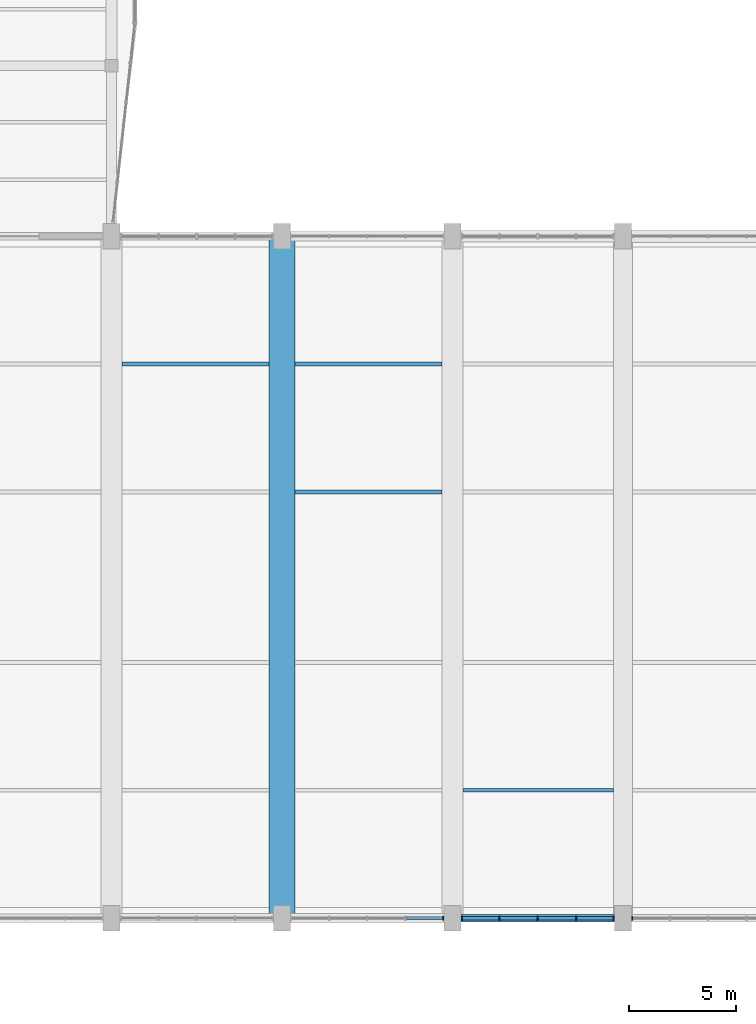
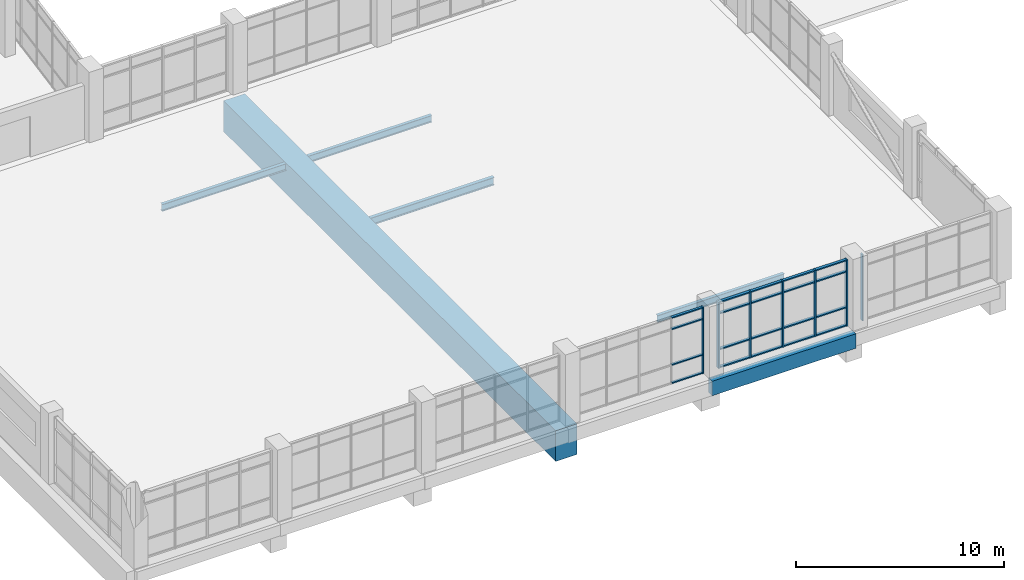
# One storey, part 7 of 84: 27 members, 6 beams, 3 elements without a shape of their own.
"""IFC4 building model written with IfcOpenShell, lengths in metres."""

from ifc_helpers import new_model, si_unit, direction, frame, origin, origin_2d, place, context, subcontext, project, spatial, rectangle, i_section, extrude, material, material_profile, profile_set, type_object, element, aggregate, save


model = new_model("IFC4")

# Units and contexts
model_context = context("Model", 3, precision=1e-05, world=origin(), true_north=direction((0.0, 1.0)))
body_context = subcontext(model_context, "Body", "Model", "MODEL_VIEW")
ifc_project = project(units=[si_unit("LENGTHUNIT", "METRE"), si_unit("AREAUNIT", "SQUARE_METRE"), si_unit("VOLUMEUNIT", "CUBIC_METRE"), si_unit("PLANEANGLEUNIT", "RADIAN"), si_unit("MASSUNIT", "GRAM", prefix="KILO")], contexts=[model_context])

# Site, building, storey
site_placement = place(None, origin())
site = spatial("IfcSite", under=ifc_project, at=site_placement, CompositionType="ELEMENT")
building_placement = place(site_placement, origin())
building = spatial("IfcBuilding", under=site, at=building_placement, Name="Tenunan Teduh Sports Hall", CompositionType="ELEMENT")
storey_placement = place(building_placement, frame((0.0, 0.0, 10.800048828125)))
storey = spatial("IfcBuildingStorey", under=building, at=storey_placement, Name="L02", CompositionType="ELEMENT", Elevation=10.800048828125)

# Beam
ifc_material_1 = material(Name="Concrete C40/50", Category="concrete")
ifc_material_profile_1 = material_profile(ifc_material_1, rectangle(XDim=0.35009765625, YDim=0.85009765625, at=origin_2d()), Name="SPB 350x850")
ifc_profile_set_1 = profile_set([ifc_material_profile_1], Name="Concrete C40/50")
beam_type_1 = type_object("IfcBeamType", Name="BM-SP-350x850", PredefinedType="SPANDREL", material=ifc_profile_set_1)
beam_1_placement = place(storey_placement, frame((38.0, 14.0, -0.97509765625), z_axis=(1.0, 0.0, 0.0), x_axis=(0.0, 1.0, 0.0)))
element("IfcBeam", 1, at=beam_1_placement, inside=storey, type_object=beam_type_1, Name="BM-SP-02-L02-1456", PredefinedType="SPANDREL", context=body_context, shape_type="SweptSolid", body=[
    extrude(rectangle(XDim=0.35009765625, YDim=0.85009765625, at=origin_2d()), origin(), (0.0, 0.0, 1.0), 8.0),
])

# Curtain wall, member
ifc_material_2 = material(Name="Anodised aluminium", Category="aluminium")
curtain_wall_type = type_object("IfcCurtainWallType", Name="CW-UNIT-2", PredefinedType="NOTDEFINED", material=ifc_material_2)
curtain_wall_1_placement = place(storey_placement, origin())
curtain_wall_1 = element("IfcCurtainWall", 2, at=curtain_wall_1_placement, inside=storey, type_object=curtain_wall_type, Name="CW-CWM-175-L02-062", PredefinedType="NOTDEFINED")
ifc_material_3 = material(Name="Anodised aluminium", Category="aluminium")
ifc_material_profile_2 = material_profile(ifc_material_3, rectangle(XDim=0.06494140625, YDim=0.175048828125, at=origin_2d()), Name="CWM 65x175")
ifc_profile_set_2 = profile_set([ifc_material_profile_2], Name="Anodised aluminium")
member_type_1 = type_object("IfcMemberType", Name="CWM-175", PredefinedType="MULLION", material=ifc_profile_set_2)
member_1_placement = place(storey_placement, frame((37.5673828125, 14.0, 0.0), z_axis=(0.0, 0.0, 1.0), x_axis=(1.0, 0.0, 0.0)))
member_1 = element("IfcMember", 3, at=member_1_placement, type_object=member_type_1, Name="CW-02 mullion 5", PredefinedType="MULLION", context=body_context, shape_type="SweptSolid", body=[
    extrude(rectangle(XDim=0.06494140625, YDim=0.175048828125, at=origin_2d()), origin(), (0.0, 0.0, 1.0), 3.89990234375),
])

curtain_wall_2_placement = place(storey_placement, origin())
curtain_wall_2 = element("IfcCurtainWall", 4, at=curtain_wall_2_placement, inside=storey, type_object=curtain_wall_type, Name="CW-CWM-175-L02-066", PredefinedType="NOTDEFINED")
member_2_placement = place(storey_placement, frame((46.4326171875, 14.0, 0.0), z_axis=(0.0, 0.0, 1.0), x_axis=(1.0, 0.0, 0.0)))
member_2 = element("IfcMember", 5, at=member_2_placement, type_object=member_type_1, Name="CW-02 mullion 1", PredefinedType="MULLION", context=body_context, shape_type="SweptSolid", body=[
    extrude(rectangle(XDim=0.06494140625, YDim=0.175048828125, at=origin_2d()), origin(), (0.0, 0.0, 1.0), 3.89990234375),
])
aggregate(curtain_wall_2, [member_2])

# Curtain wall, members
curtain_wall_3_placement = place(storey_placement, origin())
curtain_wall_3 = element("IfcCurtainWall", 6, at=curtain_wall_3_placement, inside=storey, type_object=curtain_wall_type, Name="CW-CWM-200-L02-064", PredefinedType="NOTDEFINED")
ifc_material_4 = material(Name="Anodised aluminium", Category="aluminium")
ifc_material_profile_3 = material_profile(ifc_material_4, rectangle(XDim=0.070068359375, YDim=0.199951171875, at=origin_2d()), Name="CWM 70x200")
ifc_profile_set_3 = profile_set([ifc_material_profile_3], Name="Anodised aluminium")
member_type_2 = type_object("IfcMemberType", Name="CWM-200", PredefinedType="MULLION", material=ifc_profile_set_3)
member_3_placement = place(storey_placement, frame((38.43505859375, 14.0, 0.0), z_axis=(0.0, 0.0, 1.0), x_axis=(1.0, 0.0, 0.0)))
member_3 = element("IfcMember", 7, at=member_3_placement, type_object=member_type_2, Name="CW-02 mullion 1", PredefinedType="MULLION", context=body_context, shape_type="SweptSolid", body=[
    extrude(rectangle(XDim=0.070068359375, YDim=0.199951171875, at=origin_2d()), origin(), (0.0, 0.0, 1.0), 3.89990234375),
])
member_4_placement = place(storey_placement, frame((40.199951171875, 14.0, 0.0), z_axis=(0.0, 0.0, 1.0), x_axis=(1.0, 0.0, 0.0)))
member_4 = element("IfcMember", 8, at=member_4_placement, type_object=member_type_2, Name="CW-02 mullion 2", PredefinedType="MULLION", context=body_context, shape_type="SweptSolid", body=[
    extrude(rectangle(XDim=0.070068359375, YDim=0.199951171875, at=origin_2d()), origin(), (0.0, 0.0, 1.0), 3.89990234375),
])
member_5_placement = place(storey_placement, frame((42.0, 14.0, 0.0), z_axis=(0.0, 0.0, 1.0), x_axis=(1.0, 0.0, 0.0)))
member_5 = element("IfcMember", 9, at=member_5_placement, type_object=member_type_2, Name="CW-02 mullion 3", PredefinedType="MULLION", context=body_context, shape_type="SweptSolid", body=[
    extrude(rectangle(XDim=0.070068359375, YDim=0.199951171875, at=origin_2d()), origin(), (0.0, 0.0, 1.0), 3.89990234375),
])
member_6_placement = place(storey_placement, frame((43.800048828125, 14.0, 0.0), z_axis=(0.0, 0.0, 1.0), x_axis=(1.0, 0.0, 0.0)))
member_6 = element("IfcMember", 10, at=member_6_placement, type_object=member_type_2, Name="CW-02 mullion 4", PredefinedType="MULLION", context=body_context, shape_type="SweptSolid", body=[
    extrude(rectangle(XDim=0.070068359375, YDim=0.199951171875, at=origin_2d()), origin(), (0.0, 0.0, 1.0), 3.89990234375),
])
member_7_placement = place(storey_placement, frame((45.56494140625, 14.0, 0.0), z_axis=(0.0, 0.0, 1.0), x_axis=(1.0, 0.0, 0.0)))
member_7 = element("IfcMember", 11, at=member_7_placement, type_object=member_type_2, Name="CW-02 mullion 5", PredefinedType="MULLION", context=body_context, shape_type="SweptSolid", body=[
    extrude(rectangle(XDim=0.070068359375, YDim=0.199951171875, at=origin_2d()), origin(), (0.0, 0.0, 1.0), 3.89990234375),
])

# Member
ifc_material_5 = material(Name="Anodised aluminium", Category="aluminium")
ifc_material_profile_4 = material_profile(ifc_material_5, rectangle(XDim=0.06494140625, YDim=0.139892578125, at=origin_2d()), Name="CWT 65x140")
ifc_profile_set_4 = profile_set([ifc_material_profile_4], Name="Anodised aluminium")
member_type_3 = type_object("IfcMemberType", Name="CWT-150", PredefinedType="USERDEFINED", material=ifc_profile_set_4)
member_8_placement = place(storey_placement, frame((35.83251953125, 14.0, 0.032470703125), z_axis=(1.0, 0.0, 0.0), x_axis=(0.0, 0.0, 1.0)))
member_8 = element("IfcMember", 12, at=member_8_placement, type_object=member_type_3, Name="CW-02 transom 4.1", ObjectType="TRANSOM", PredefinedType="USERDEFINED", context=body_context, shape_type="SweptSolid", body=[
    extrude(rectangle(XDim=0.06494140625, YDim=0.139892578125, at=origin_2d()), origin(), (0.0, 0.0, 1.0), 1.702392578125),
])

member_9_placement = place(storey_placement, frame((35.83251953125, 14.0, 1.099853515625), z_axis=(1.0, 0.0, 0.0), x_axis=(0.0, 0.0, 1.0)))
member_9 = element("IfcMember", 13, at=member_9_placement, type_object=member_type_3, Name="CW-02 transom 4.2", ObjectType="TRANSOM", PredefinedType="USERDEFINED", context=body_context, shape_type="SweptSolid", body=[
    extrude(rectangle(XDim=0.06494140625, YDim=0.139892578125, at=origin_2d()), origin(), (0.0, 0.0, 1.0), 1.702392578125),
])

member_10_placement = place(storey_placement, frame((35.83251953125, 14.0, 3.199951171875), z_axis=(1.0, 0.0, 0.0), x_axis=(0.0, 0.0, 1.0)))
member_10 = element("IfcMember", 14, at=member_10_placement, type_object=member_type_3, Name="CW-02 transom 4.3", ObjectType="TRANSOM", PredefinedType="USERDEFINED", context=body_context, shape_type="SweptSolid", body=[
    extrude(rectangle(XDim=0.06494140625, YDim=0.139892578125, at=origin_2d()), origin(), (0.0, 0.0, 1.0), 1.702392578125),
])

member_11_placement = place(storey_placement, frame((35.83251953125, 14.0, 3.867431640625), z_axis=(1.0, 0.0, 0.0), x_axis=(0.0, 0.0, 1.0)))
member_11 = element("IfcMember", 15, at=member_11_placement, type_object=member_type_3, Name="CW-02 transom 4.4", ObjectType="TRANSOM", PredefinedType="USERDEFINED", context=body_context, shape_type="SweptSolid", body=[
    extrude(rectangle(XDim=0.06494140625, YDim=0.139892578125, at=origin_2d()), origin(), (0.0, 0.0, 1.0), 1.702392578125),
])

aggregate(curtain_wall_1, [member_1, member_8, member_9, member_10, member_11])

ifc_material_6 = material(Name="Anodised aluminium", Category="aluminium")
ifc_material_profile_5 = material_profile(ifc_material_6, rectangle(XDim=0.070068359375, YDim=0.159912109375, at=origin_2d()), Name="CWT 70x160")
ifc_profile_set_5 = profile_set([ifc_material_profile_5], Name="Anodised aluminium")
member_type_4 = type_object("IfcMemberType", Name="CWT-200", PredefinedType="USERDEFINED", material=ifc_profile_set_5)
member_12_placement = place(storey_placement, frame((38.469970703125, 14.0, 0.034912109375), z_axis=(1.0, 0.0, 0.0), x_axis=(0.0, 0.0, 1.0)))
member_12 = element("IfcMember", 16, at=member_12_placement, type_object=member_type_4, Name="CW-02 transom 1.1", ObjectType="TRANSOM", PredefinedType="USERDEFINED", context=body_context, shape_type="SweptSolid", body=[
    extrude(rectangle(XDim=0.070068359375, YDim=0.159912109375, at=origin_2d()), origin(), (0.0, 0.0, 1.0), 1.695068359375),
])

member_13_placement = place(storey_placement, frame((38.469970703125, 14.0, 1.099853515625), z_axis=(1.0, 0.0, 0.0), x_axis=(0.0, 0.0, 1.0)))
member_13 = element("IfcMember", 17, at=member_13_placement, type_object=member_type_4, Name="CW-02 transom 1.2", ObjectType="TRANSOM", PredefinedType="USERDEFINED", context=body_context, shape_type="SweptSolid", body=[
    extrude(rectangle(XDim=0.070068359375, YDim=0.159912109375, at=origin_2d()), origin(), (0.0, 0.0, 1.0), 1.695068359375),
])

member_14_placement = place(storey_placement, frame((38.469970703125, 14.0, 3.199951171875), z_axis=(1.0, 0.0, 0.0), x_axis=(0.0, 0.0, 1.0)))
member_14 = element("IfcMember", 18, at=member_14_placement, type_object=member_type_4, Name="CW-02 transom 1.3", ObjectType="TRANSOM", PredefinedType="USERDEFINED", context=body_context, shape_type="SweptSolid", body=[
    extrude(rectangle(XDim=0.070068359375, YDim=0.159912109375, at=origin_2d()), origin(), (0.0, 0.0, 1.0), 1.695068359375),
])

member_15_placement = place(storey_placement, frame((38.469970703125, 14.0, 3.864990234375), z_axis=(1.0, 0.0, 0.0), x_axis=(0.0, 0.0, 1.0)))
member_15 = element("IfcMember", 19, at=member_15_placement, type_object=member_type_4, Name="CW-02 transom 1.4", ObjectType="TRANSOM", PredefinedType="USERDEFINED", context=body_context, shape_type="SweptSolid", body=[
    extrude(rectangle(XDim=0.070068359375, YDim=0.159912109375, at=origin_2d()), origin(), (0.0, 0.0, 1.0), 1.695068359375),
])

member_16_placement = place(storey_placement, frame((40.235107421875, 14.0, 0.034912109375), z_axis=(1.0, 0.0, 0.0), x_axis=(0.0, 0.0, 1.0)))
member_16 = element("IfcMember", 20, at=member_16_placement, type_object=member_type_4, Name="CW-02 transom 2.1", ObjectType="TRANSOM", PredefinedType="USERDEFINED", context=body_context, shape_type="SweptSolid", body=[
    extrude(rectangle(XDim=0.070068359375, YDim=0.159912109375, at=origin_2d()), origin(), (0.0, 0.0, 1.0), 1.72998046875),
])

member_17_placement = place(storey_placement, frame((40.235107421875, 14.0, 1.099853515625), z_axis=(1.0, 0.0, 0.0), x_axis=(0.0, 0.0, 1.0)))
member_17 = element("IfcMember", 21, at=member_17_placement, type_object=member_type_4, Name="CW-02 transom 2.2", ObjectType="TRANSOM", PredefinedType="USERDEFINED", context=body_context, shape_type="SweptSolid", body=[
    extrude(rectangle(XDim=0.070068359375, YDim=0.159912109375, at=origin_2d()), origin(), (0.0, 0.0, 1.0), 1.72998046875),
])

member_18_placement = place(storey_placement, frame((40.235107421875, 14.0, 3.199951171875), z_axis=(1.0, 0.0, 0.0), x_axis=(0.0, 0.0, 1.0)))
member_18 = element("IfcMember", 22, at=member_18_placement, type_object=member_type_4, Name="CW-02 transom 2.3", ObjectType="TRANSOM", PredefinedType="USERDEFINED", context=body_context, shape_type="SweptSolid", body=[
    extrude(rectangle(XDim=0.070068359375, YDim=0.159912109375, at=origin_2d()), origin(), (0.0, 0.0, 1.0), 1.72998046875),
])

member_19_placement = place(storey_placement, frame((40.235107421875, 14.0, 3.864990234375), z_axis=(1.0, 0.0, 0.0), x_axis=(0.0, 0.0, 1.0)))
member_19 = element("IfcMember", 23, at=member_19_placement, type_object=member_type_4, Name="CW-02 transom 2.4", ObjectType="TRANSOM", PredefinedType="USERDEFINED", context=body_context, shape_type="SweptSolid", body=[
    extrude(rectangle(XDim=0.070068359375, YDim=0.159912109375, at=origin_2d()), origin(), (0.0, 0.0, 1.0), 1.72998046875),
])

member_20_placement = place(storey_placement, frame((42.034912109375, 14.0, 0.034912109375), z_axis=(1.0, 0.0, 0.0), x_axis=(0.0, 0.0, 1.0)))
member_20 = element("IfcMember", 24, at=member_20_placement, type_object=member_type_4, Name="CW-02 transom 3.1", ObjectType="TRANSOM", PredefinedType="USERDEFINED", context=body_context, shape_type="SweptSolid", body=[
    extrude(rectangle(XDim=0.070068359375, YDim=0.159912109375, at=origin_2d()), origin(), (0.0, 0.0, 1.0), 1.72998046875),
])

member_21_placement = place(storey_placement, frame((42.034912109375, 14.0, 1.099853515625), z_axis=(1.0, 0.0, 0.0), x_axis=(0.0, 0.0, 1.0)))
member_21 = element("IfcMember", 25, at=member_21_placement, type_object=member_type_4, Name="CW-02 transom 3.2", ObjectType="TRANSOM", PredefinedType="USERDEFINED", context=body_context, shape_type="SweptSolid", body=[
    extrude(rectangle(XDim=0.070068359375, YDim=0.159912109375, at=origin_2d()), origin(), (0.0, 0.0, 1.0), 1.72998046875),
])

member_22_placement = place(storey_placement, frame((42.034912109375, 14.0, 3.199951171875), z_axis=(1.0, 0.0, 0.0), x_axis=(0.0, 0.0, 1.0)))
member_22 = element("IfcMember", 26, at=member_22_placement, type_object=member_type_4, Name="CW-02 transom 3.3", ObjectType="TRANSOM", PredefinedType="USERDEFINED", context=body_context, shape_type="SweptSolid", body=[
    extrude(rectangle(XDim=0.070068359375, YDim=0.159912109375, at=origin_2d()), origin(), (0.0, 0.0, 1.0), 1.72998046875),
])

member_23_placement = place(storey_placement, frame((42.034912109375, 14.0, 3.864990234375), z_axis=(1.0, 0.0, 0.0), x_axis=(0.0, 0.0, 1.0)))
member_23 = element("IfcMember", 27, at=member_23_placement, type_object=member_type_4, Name="CW-02 transom 3.4", ObjectType="TRANSOM", PredefinedType="USERDEFINED", context=body_context, shape_type="SweptSolid", body=[
    extrude(rectangle(XDim=0.070068359375, YDim=0.159912109375, at=origin_2d()), origin(), (0.0, 0.0, 1.0), 1.72998046875),
])

member_24_placement = place(storey_placement, frame((43.8349609375, 14.0, 0.034912109375), z_axis=(1.0, 0.0, 0.0), x_axis=(0.0, 0.0, 1.0)))
member_24 = element("IfcMember", 28, at=member_24_placement, type_object=member_type_4, Name="CW-02 transom 4.1", ObjectType="TRANSOM", PredefinedType="USERDEFINED", context=body_context, shape_type="SweptSolid", body=[
    extrude(rectangle(XDim=0.070068359375, YDim=0.159912109375, at=origin_2d()), origin(), (0.0, 0.0, 1.0), 1.695068359375),
])

member_25_placement = place(storey_placement, frame((43.8349609375, 14.0, 1.099853515625), z_axis=(1.0, 0.0, 0.0), x_axis=(0.0, 0.0, 1.0)))
member_25 = element("IfcMember", 29, at=member_25_placement, type_object=member_type_4, Name="CW-02 transom 4.2", ObjectType="TRANSOM", PredefinedType="USERDEFINED", context=body_context, shape_type="SweptSolid", body=[
    extrude(rectangle(XDim=0.070068359375, YDim=0.159912109375, at=origin_2d()), origin(), (0.0, 0.0, 1.0), 1.695068359375),
])

member_26_placement = place(storey_placement, frame((43.8349609375, 14.0, 3.199951171875), z_axis=(1.0, 0.0, 0.0), x_axis=(0.0, 0.0, 1.0)))
member_26 = element("IfcMember", 30, at=member_26_placement, type_object=member_type_4, Name="CW-02 transom 4.3", ObjectType="TRANSOM", PredefinedType="USERDEFINED", context=body_context, shape_type="SweptSolid", body=[
    extrude(rectangle(XDim=0.070068359375, YDim=0.159912109375, at=origin_2d()), origin(), (0.0, 0.0, 1.0), 1.695068359375),
])

member_27_placement = place(storey_placement, frame((43.8349609375, 14.0, 3.864990234375), z_axis=(1.0, 0.0, 0.0), x_axis=(0.0, 0.0, 1.0)))
member_27 = element("IfcMember", 31, at=member_27_placement, type_object=member_type_4, Name="CW-02 transom 4.4", ObjectType="TRANSOM", PredefinedType="USERDEFINED", context=body_context, shape_type="SweptSolid", body=[
    extrude(rectangle(XDim=0.070068359375, YDim=0.159912109375, at=origin_2d()), origin(), (0.0, 0.0, 1.0), 1.695068359375),
])

aggregate(curtain_wall_3, [member_3, member_4, member_5, member_6, member_7, member_12, member_13, member_14, member_15, member_16, member_17, member_18, member_19, member_20, member_21, member_22, member_23, member_24, member_25, member_26, member_27])

# Beams
ifc_material_7 = material(Name="Post-tensioned concrete C50/60", Category="concrete")
ifc_material_profile_6 = material_profile(ifc_material_7, rectangle(XDim=1.199951171875, YDim=1.800048828125, at=origin_2d()), Name="PTG 1200x1800")
ifc_profile_set_6 = profile_set([ifc_material_profile_6], Name="Post-tensioned concrete C50/60")
beam_type_2 = type_object("IfcBeamType", Name="PTG-1200x1800", PredefinedType="USERDEFINED", material=ifc_profile_set_6)
beam_2_placement = place(storey_placement, frame((30.0, 14.0, -1.449951171875), z_axis=(0.0, 1.0, 0.0), x_axis=(-1.0, 0.0, 0.0)))
element("IfcBeam", 32, at=beam_2_placement, inside=storey, type_object=beam_type_2, Name="Post-Tensioned Transfer Girder BM-PTG-06-L02-0016", ObjectType="TRANSFER GIRDER", PredefinedType="USERDEFINED", context=body_context, shape_type="SweptSolid", body=[
    extrude(rectangle(XDim=1.199951171875, YDim=1.800048828125, at=origin_2d()), origin(), (0.0, 0.0, 1.0), 32.0),
])
ifc_material_8 = material(Name="Steel S355", Category="steel")
ifc_material_profile_7 = material_profile(ifc_material_8, i_section(OverallWidth=0.177978515625, OverallDepth=0.406494140625, WebThickness=0.0078125, FlangeThickness=0.0126953125, FilletRadius=0.01025390625, at=origin_2d()), Name="UKB 406x178x60")
ifc_profile_set_7 = profile_set([ifc_material_profile_7], Name="Steel S355")
beam_type_3 = type_object("IfcBeamType", Name="SBM-UKB406", PredefinedType="BEAM", material=ifc_profile_set_7)
for number, where, z_axis, x_axis, name in (
    (33, (22.5, 40.0, -0.753173828125), (1.0, 0.0, 0.0), (0.0, 1.0, 0.0), "BM-SB-03-L02-0015"),
    (34, (30.60009765625, 40.0, -0.753173828125), (1.0, 0.0, 0.0), (0.0, 1.0, 0.0), "BM-SB-03-L02-0020"),
):
    element("IfcBeam", number, at=place(storey_placement, frame(where, z_axis=z_axis, x_axis=x_axis)), inside=storey, type_object=beam_type_3, Name=name, PredefinedType="BEAM", context=body_context, shape_type="SweptSolid", body=[
        extrude(i_section(OverallWidth=0.177978515625, OverallDepth=0.406494140625, WebThickness=0.0078125, FlangeThickness=0.0126953125, FilletRadius=0.01025390625, at=origin_2d()), origin(), (0.0, 0.0, 1.0), 6.89990234375),
    ])
beam_3_placement = place(storey_placement, frame((38.5, 20.0, -0.753173828125), z_axis=(1.0, 0.0, 0.0), x_axis=(0.0, 1.0, 0.0)))
element("IfcBeam", 35, at=beam_3_placement, inside=storey, type_object=beam_type_3, Name="BM-SB-03-L02-0022", PredefinedType="BEAM", context=body_context, shape_type="SweptSolid", body=[
    extrude(i_section(OverallWidth=0.177978515625, OverallDepth=0.406494140625, WebThickness=0.0078125, FlangeThickness=0.0126953125, FilletRadius=0.01025390625, at=origin_2d()), origin(), (0.0, 0.0, 1.0), 7.050048828125),
])
ifc_material_9 = material(Name="Steel S355", Category="steel")
ifc_material_profile_8 = material_profile(ifc_material_9, i_section(OverallWidth=0.1904296875, OverallDepth=0.45703125, WebThickness=0.009033203125, FlangeThickness=0.014404296875, FilletRadius=0.01025390625, at=origin_2d()), Name="UKB 457x191x74")
ifc_profile_set_8 = profile_set([ifc_material_profile_8], Name="Steel S355")
beam_type_4 = type_object("IfcBeamType", Name="SBM-UKB457", PredefinedType="BEAM", material=ifc_profile_set_8)
beam_4_placement = place(storey_placement, frame((30.60009765625, 34.0, -0.778564453125), z_axis=(1.0, 0.0, 0.0), x_axis=(0.0, 1.0, 0.0)))
element("IfcBeam", 36, at=beam_4_placement, inside=storey, type_object=beam_type_4, Name="BM-SB-04-L02-0019", PredefinedType="BEAM", context=body_context, shape_type="SweptSolid", body=[
    extrude(i_section(OverallWidth=0.1904296875, OverallDepth=0.45703125, WebThickness=0.009033203125, FlangeThickness=0.014404296875, FilletRadius=0.01025390625, at=origin_2d()), origin(), (0.0, 0.0, 1.0), 6.89990234375),
])

save(model, "model.ifc")
